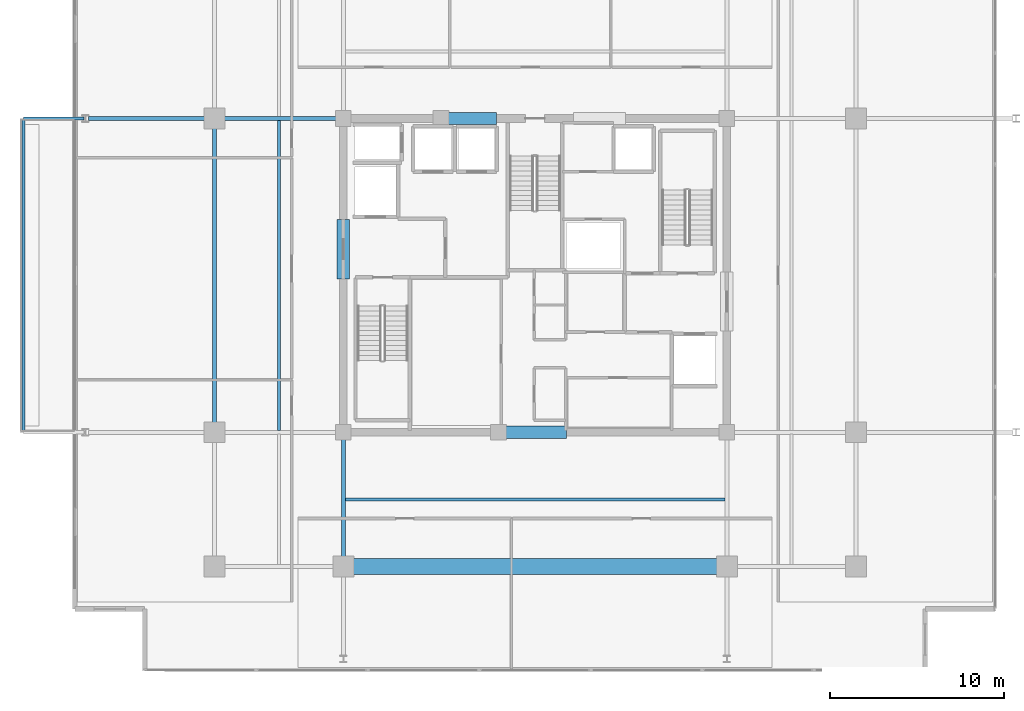
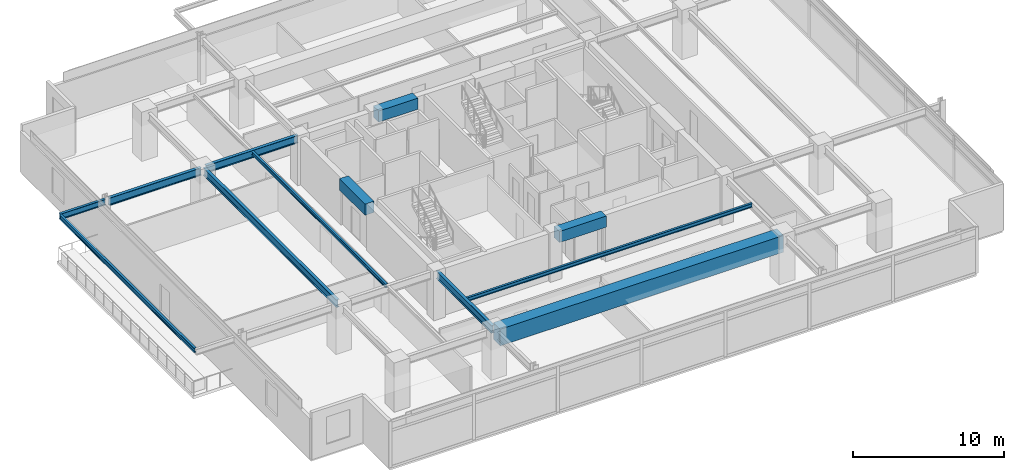
# One storey, part 5 of 18: 12 beams.
"""IFC4 building model written with IfcOpenShell, lengths in metres."""

from ifc_helpers import new_model, si_unit, direction, frame, origin, origin_2d, place, context, subcontext, project, spatial, rectangle, i_section, extrude, material, material_profile, profile_set, type_object, element, save


model = new_model("IFC4")

# Units and contexts
model_context = context("Model", 3, precision=1e-05, world=origin(), true_north=direction((0.0, 1.0)))
body_context = subcontext(model_context, "Body", "Model", "MODEL_VIEW")
ifc_project = project(units=[si_unit("LENGTHUNIT", "METRE"), si_unit("AREAUNIT", "SQUARE_METRE"), si_unit("VOLUMEUNIT", "CUBIC_METRE"), si_unit("PLANEANGLEUNIT", "RADIAN"), si_unit("MASSUNIT", "GRAM", prefix="KILO")], contexts=[model_context])

# Site, building, storey
site_placement = place(None, origin())
site = spatial("IfcSite", under=ifc_project, at=site_placement, CompositionType="ELEMENT")
building_placement = place(site_placement, origin())
building = spatial("IfcBuilding", under=site, at=building_placement, Name="Kovane Verandah Tower", CompositionType="ELEMENT")
storey_placement = place(building_placement, frame((0.0, 0.0, 251.199951171875)))
storey = spatial("IfcBuildingStorey", under=building, at=storey_placement, Name="L58", CompositionType="ELEMENT", Elevation=251.199951171875)

# Beams
ifc_material_1 = material(Name="Concrete C60/75", Category="concrete")
ifc_material_profile_1 = material_profile(ifc_material_1, rectangle(XDim=0.699951171875, YDim=0.89990234375, at=origin_2d()), Name="RCB700x900")
ifc_profile_set_1 = profile_set([ifc_material_profile_1], Name="Concrete C60/75")
beam_type_1 = type_object("IfcBeamType", Name="BM-LINTEL-700x900", PredefinedType="LINTEL", material=ifc_profile_set_1)
beam_1_placement = place(storey_placement, frame((38.199951171875, 18.5, 3.3349609375), z_axis=(1.0, 0.0, 0.0), x_axis=(0.0, 1.0, 0.0)))
element("IfcBeam", 1, at=beam_1_placement, inside=storey, type_object=beam_type_1, Name="L58 Core Coupling Lintel CL-S", PredefinedType="LINTEL", context=body_context, shape_type="SweptSolid", body=[
    extrude(rectangle(XDim=0.699951171875, YDim=0.89990234375, at=origin_2d()), origin(), (0.0, 0.0, 1.0), 3.60009765625),
])
beam_2_placement = place(storey_placement, frame((34.800048828125, 36.5, 3.3349609375), z_axis=(1.0, 0.0, 0.0), x_axis=(0.0, 1.0, 0.0)))
element("IfcBeam", 2, at=beam_2_placement, inside=storey, type_object=beam_type_1, Name="L58 Core Coupling Lintel CL-N1", PredefinedType="LINTEL", context=body_context, shape_type="SweptSolid", body=[
    extrude(rectangle(XDim=0.699951171875, YDim=0.89990234375, at=origin_2d()), origin(), (0.0, 0.0, 1.0), 3.0),
])
beam_3_placement = place(storey_placement, frame((29.0, 27.300048828125, 3.3349609375), z_axis=(0.0, 1.0, 0.0), x_axis=(-1.0, 0.0, 0.0)))
element("IfcBeam", 3, at=beam_3_placement, inside=storey, type_object=beam_type_1, Name="L58 Core Coupling Lintel CL-W", PredefinedType="LINTEL", context=body_context, shape_type="SweptSolid", body=[
    extrude(rectangle(XDim=0.699951171875, YDim=0.89990234375, at=origin_2d()), origin(), (0.0, 0.0, 1.0), 3.39990234375),
])
ifc_material_2 = material(Name="Concrete C80/95", Category="concrete")
ifc_material_profile_2 = material_profile(ifc_material_2, rectangle(XDim=0.89990234375, YDim=1.35009765625, at=origin_2d()), Name="RCB900x1350")
ifc_profile_set_2 = profile_set([ifc_material_profile_2], Name="Concrete C80/95")
beam_type_2 = type_object("IfcBeamType", Name="BM-TR-900x1350", PredefinedType="BEAM", material=ifc_profile_set_2)
beam_4_placement = place(storey_placement, frame((29.179931640625, 10.800048828125, 3.110107421875), z_axis=(1.0, 0.0, 0.0), x_axis=(0.0, 1.0, 0.0)))
element("IfcBeam", 4, at=beam_4_placement, inside=storey, type_object=beam_type_2, Name="L58 Primary Tower Girder G-RS2", PredefinedType="BEAM", context=body_context, shape_type="SweptSolid", body=[
    extrude(rectangle(XDim=0.89990234375, YDim=1.35009765625, at=origin_2d()), origin(), (0.0, 0.0, 1.0), 21.64013671875),
])
ifc_material_3 = material(Name="Steel S355", Category="steel")
ifc_material_profile_3 = material_profile(ifc_material_3, i_section(OverallWidth=0.230224609375, OverallDepth=0.6171875, WebThickness=0.01318359375, FlangeThickness=0.022216796875, FilletRadius=0.0126953125, at=origin_2d()), Name="UB610x229x140")
ifc_profile_set_3 = profile_set([ifc_material_profile_3], Name="Steel S355")
beam_type_3 = type_object("IfcBeamType", Name="BM-UB610x140", PredefinedType="BEAM", material=ifc_profile_set_3)
beam_5_placement = place(storey_placement, frame((21.60009765625, 18.679931640625, 3.4765625), z_axis=(0.0, 1.0, 0.0), x_axis=(-1.0, 0.0, 0.0)))
element("IfcBeam", 5, at=beam_5_placement, inside=storey, type_object=beam_type_3, Name="L58 Primary Tower Girder G-RW2", PredefinedType="BEAM", context=body_context, shape_type="SweptSolid", body=[
    extrude(i_section(OverallWidth=0.230224609375, OverallDepth=0.6171875, WebThickness=0.01318359375, FlangeThickness=0.022216796875, FilletRadius=0.0126953125, at=origin_2d()), origin(), (0.0, 0.0, 1.0), 17.64013671875),
])
beam_6_placement = place(storey_placement, frame((28.820068359375, 36.5, 3.4765625), z_axis=(-1.0, 0.0, 0.0), x_axis=(0.0, -1.0, 0.0)))
element("IfcBeam", 6, at=beam_6_placement, inside=storey, type_object=beam_type_3, Name="L58 Primary Tower Girder G-W2", PredefinedType="BEAM", context=body_context, shape_type="SweptSolid", body=[
    extrude(i_section(OverallWidth=0.230224609375, OverallDepth=0.6171875, WebThickness=0.01318359375, FlangeThickness=0.022216796875, FilletRadius=0.0126953125, at=origin_2d()), origin(), (0.0, 0.0, 1.0), 7.0400390625),
])
beam_7_placement = place(storey_placement, frame((29.0, 18.320068359375, 3.4765625), z_axis=(0.0, -1.0, 0.0), x_axis=(1.0, 0.0, 0.0)))
element("IfcBeam", 7, at=beam_7_placement, inside=storey, type_object=beam_type_3, Name="L58 Primary Tower Girder G-S1", PredefinedType="BEAM", context=body_context, shape_type="SweptSolid", body=[
    extrude(i_section(OverallWidth=0.230224609375, OverallDepth=0.6171875, WebThickness=0.01318359375, FlangeThickness=0.022216796875, FilletRadius=0.0126953125, at=origin_2d()), origin(), (0.0, 0.0, 1.0), 7.340087890625),
])
beam_8_placement = place(storey_placement, frame((21.419921875, 36.5, 3.451416015625), z_axis=(-1.0, 0.0, 0.0), x_axis=(0.0, -1.0, 0.0)))
element("IfcBeam", 8, at=beam_8_placement, inside=storey, type_object=beam_type_3, Name="L58 Primary Tower Girder G-VW2", PredefinedType="BEAM", context=body_context, shape_type="SweptSolid", body=[
    extrude(i_section(OverallWidth=0.230224609375, OverallDepth=0.6171875, WebThickness=0.01318359375, FlangeThickness=0.022216796875, FilletRadius=0.0126953125, at=origin_2d()), origin(), (0.0, 0.0, 1.0), 7.0400390625),
])
ifc_material_profile_4 = material_profile(ifc_material_3, i_section(OverallWidth=0.1669921875, OverallDepth=0.310302734375, WebThickness=0.0078125, FlangeThickness=0.013671875, FilletRadius=0.0087890625, at=origin_2d()), Name="UB305x165x54")
ifc_profile_set_4 = profile_set([ifc_material_profile_4], Name="Steel S355")
beam_type_4 = type_object("IfcBeamType", Name="JST-UB305x54", PredefinedType="JOIST", material=ifc_profile_set_4)
beam_9_placement = place(storey_placement, frame((29.113037109375, 14.64990234375, 3.6298828125), z_axis=(1.0, 0.0, 0.0), x_axis=(0.0, 1.0, 0.0)))
element("IfcBeam", 9, at=beam_9_placement, inside=storey, type_object=beam_type_4, Name="L58 Secondary Composite Joist J-S1", PredefinedType="JOIST", context=body_context, shape_type="SweptSolid", body=[
    extrude(i_section(OverallWidth=0.1669921875, OverallDepth=0.310302734375, WebThickness=0.0078125, FlangeThickness=0.013671875, FilletRadius=0.0087890625, at=origin_2d()), origin(), (0.0, 0.0, 1.0), 21.77392578125),
])
beam_10_placement = place(storey_placement, frame((25.300048828125, 18.613037109375, 3.6298828125), z_axis=(0.0, 1.0, 0.0), x_axis=(-1.0, 0.0, 0.0)))
element("IfcBeam", 10, at=beam_10_placement, inside=storey, type_object=beam_type_4, Name="L58 Secondary Composite Joist J-W1", PredefinedType="JOIST", context=body_context, shape_type="SweptSolid", body=[
    extrude(i_section(OverallWidth=0.1669921875, OverallDepth=0.310302734375, WebThickness=0.0078125, FlangeThickness=0.013671875, FilletRadius=0.0087890625, at=origin_2d()), origin(), (0.0, 0.0, 1.0), 17.77392578125),
])
ifc_material_profile_5 = material_profile(ifc_material_3, i_section(OverallWidth=0.19287109375, OverallDepth=0.46728515625, WebThickness=0.011474609375, FlangeThickness=0.01953125, FilletRadius=0.01025390625, at=origin_2d()), Name="UB457x191x98")
ifc_profile_set_5 = profile_set([ifc_material_profile_5], Name="Steel S355")
beam_type_5 = type_object("IfcBeamType", Name="JST-UB457x98", PredefinedType="JOIST", material=ifc_profile_set_5)
beam_11_placement = place(storey_placement, frame((14.1201171875, 36.5, 3.5263671875), z_axis=(-1.0, 0.0, 0.0), x_axis=(0.0, -1.0, 0.0)))
element("IfcBeam", 11, at=beam_11_placement, inside=storey, type_object=beam_type_5, Name="L58 West Planter Girder 2", PredefinedType="JOIST", context=body_context, shape_type="SweptSolid", body=[
    extrude(i_section(OverallWidth=0.19287109375, OverallDepth=0.46728515625, WebThickness=0.011474609375, FlangeThickness=0.01953125, FilletRadius=0.01025390625, at=origin_2d()), origin(), (0.0, 0.0, 1.0), 3.46630859375),
])
ifc_material_profile_6 = material_profile(ifc_material_3, i_section(OverallWidth=0.173095703125, OverallDepth=0.36328125, WebThickness=0.009033203125, FlangeThickness=0.015625, FilletRadius=0.01025390625, at=origin_2d()), Name="UB356x171x67")
ifc_profile_set_6 = profile_set([ifc_material_profile_6], Name="Steel S355")
beam_type_6 = type_object("IfcBeamType", Name="SPD-UB356x67", PredefinedType="USERDEFINED", material=ifc_profile_set_6)
beam_12_placement = place(storey_placement, frame((10.65380859375, 18.594482421875, 3.578369140625), z_axis=(0.0, 1.0, 0.0), x_axis=(-1.0, 0.0, 0.0)))
element("IfcBeam", 12, at=beam_12_placement, inside=storey, type_object=beam_type_6, Name="L58 West Planter Edge Spandrel", ObjectType="SPANDREL", PredefinedType="USERDEFINED", context=body_context, shape_type="SweptSolid", body=[
    extrude(i_section(OverallWidth=0.173095703125, OverallDepth=0.36328125, WebThickness=0.009033203125, FlangeThickness=0.015625, FilletRadius=0.01025390625, at=origin_2d()), origin(), (0.0, 0.0, 1.0), 17.81103515625),
])

save(model, "model.ifc")
